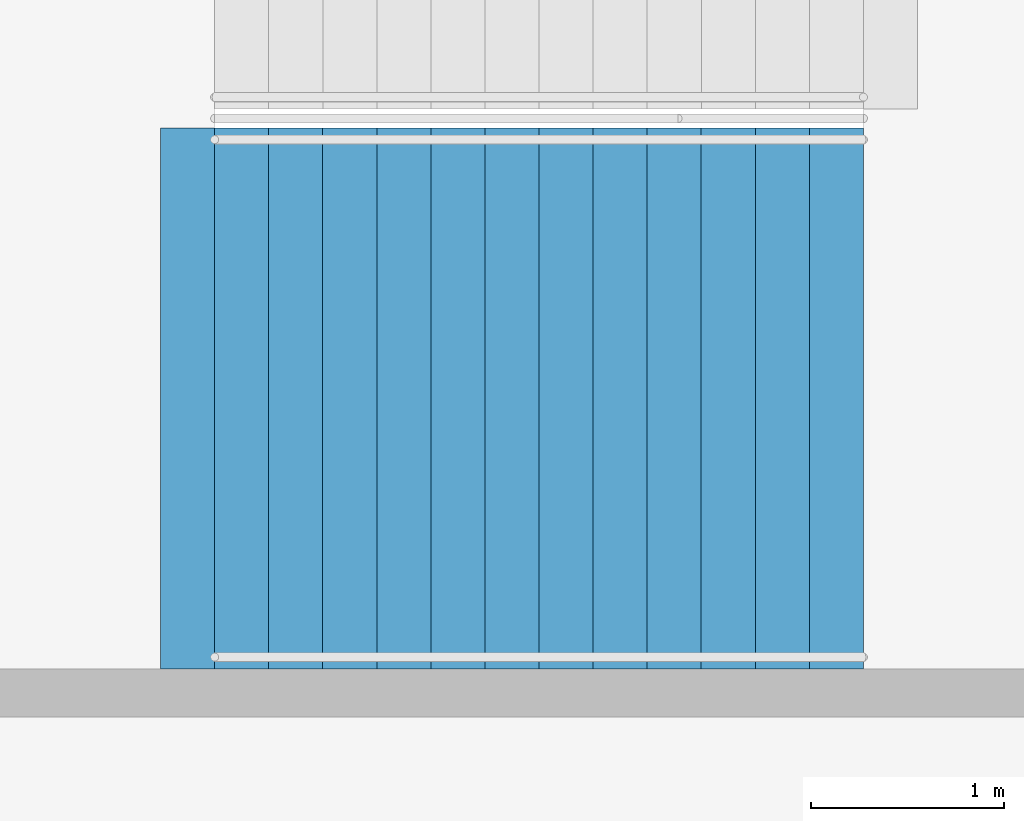
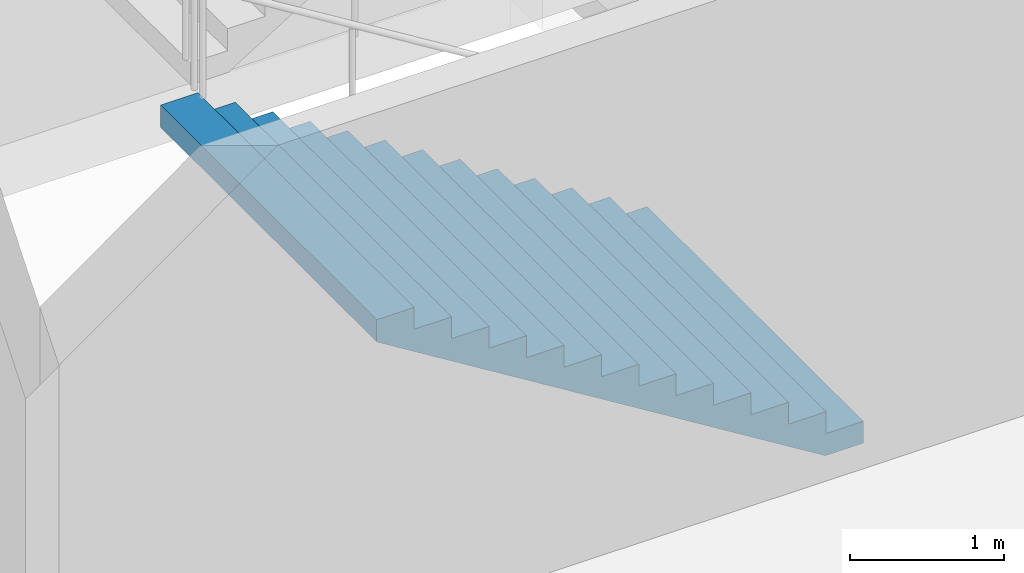
# One storey, part 83 of 175: 1 stair flight, 1 element without a shape of its own.
"""IFC4 building model written with IfcOpenShell, lengths in metres."""

from ifc_helpers import new_model, si_unit, direction, frame, origin, place, context, subcontext, project, spatial, faceted_brep, material, type_object, element, aggregate, save


model = new_model("IFC4")

# Units and contexts
model_context = context("Model", 3, precision=1e-05, world=origin(), true_north=direction((0.0, 1.0)))
body_context = subcontext(model_context, "Body", "Model", "MODEL_VIEW")
ifc_project = project(units=[si_unit("LENGTHUNIT", "METRE"), si_unit("AREAUNIT", "SQUARE_METRE"), si_unit("VOLUMEUNIT", "CUBIC_METRE"), si_unit("PLANEANGLEUNIT", "RADIAN"), si_unit("MASSUNIT", "GRAM", prefix="KILO")], contexts=[model_context])

# Site, building, storey
site_placement = place(None, origin())
site = spatial("IfcSite", under=ifc_project, at=site_placement, CompositionType="ELEMENT")
building_placement = place(site_placement, origin())
building = spatial("IfcBuilding", under=site, at=building_placement, Name="Ogive Plaza Stadium", CompositionType="ELEMENT")
storey_placement = place(building_placement, origin())
storey = spatial("IfcBuildingStorey", under=building, at=storey_placement, Name="L00", CompositionType="ELEMENT", Elevation=0.0)

# Stair, stair flight
ifc_material_1 = material(Name="Concrete C40/50", Category="concrete")
stair_type = type_object("IfcStairType", Name="Exit stair", PredefinedType="STRAIGHT_RUN_STAIR", material=ifc_material_1)
stair_placement = place(storey_placement, origin())
stair = element("IfcStair", 1, at=stair_placement, inside=storey, type_object=stair_type, Name="Exit stair ST26B L00 to L01", PredefinedType="STRAIGHT_RUN_STAIR")
ifc_material_2 = material(Name="Concrete C40/50", Category="concrete")
stair_flight_type = type_object("IfcStairFlightType", Name="Exit stair flight", PredefinedType="STRAIGHT", material=ifc_material_2)
stair_flight_placement = place(storey_placement, frame((-76.35009765625, 18.074951171875, 0.0), z_axis=(0.0, 0.0, 1.0), x_axis=(-1.0, 0.0, 0.0)))
stair_flight = element("IfcStairFlight", 2, at=stair_flight_placement, type_object=stair_flight_type, Name="ST26B flight 1", NumberOfRisers=13, NumberOfTreads=12, PredefinedType="STRAIGHT", RiserHeight=0.173076923, TreadLength=0.28, context=body_context, shape_type="Brep", body=[
    faceted_brep([(0.28515625, -1.39990234375, 0.0), (3.639892578125, -1.39990234375, 2.07373046875), (3.639892578125, -1.39990234375, 2.25), (3.360107421875, -1.39990234375, 2.25), (3.360107421875, -1.39990234375, 2.076904296875), (3.080078125, -1.39990234375, 2.076904296875), (3.080078125, -1.39990234375, 1.90380859375), (2.800048828125, -1.39990234375, 1.90380859375), (2.800048828125, -1.39990234375, 1.730712890625), (2.52001953125, -1.39990234375, 1.730712890625), (2.52001953125, -1.39990234375, 1.5576171875), (2.239990234375, -1.39990234375, 1.5576171875), (2.239990234375, -1.39990234375, 1.384521484375), (1.9599609375, -1.39990234375, 1.384521484375), (1.9599609375, -1.39990234375, 1.21142578125), (1.679931640625, -1.39990234375, 1.21142578125), (1.679931640625, -1.39990234375, 1.03857421875), (1.39990234375, -1.39990234375, 1.03857421875), (1.39990234375, -1.39990234375, 0.865478515625), (1.1201171875, -1.39990234375, 0.865478515625), (1.1201171875, -1.39990234375, 0.6923828125), (0.840087890625, -1.39990234375, 0.6923828125), (0.840087890625, -1.39990234375, 0.519287109375), (0.56005859375, -1.39990234375, 0.519287109375), (0.56005859375, -1.39990234375, 0.34619140625), (0.280029296875, -1.39990234375, 0.34619140625), (0.280029296875, -1.39990234375, 0.173095703125), (0.0, -1.39990234375, 0.173095703125), (0.0, -1.39990234375, 0.0), (0.0, 1.39990234375, 0.0), (0.0, 1.39990234375, 0.173095703125), (0.280029296875, 1.39990234375, 0.173095703125), (0.280029296875, 1.39990234375, 0.34619140625), (0.56005859375, 1.39990234375, 0.34619140625), (0.56005859375, 1.39990234375, 0.519287109375), (0.840087890625, 1.39990234375, 0.519287109375), (0.840087890625, 1.39990234375, 0.6923828125), (1.1201171875, 1.39990234375, 0.6923828125), (1.1201171875, 1.39990234375, 0.865478515625), (1.39990234375, 1.39990234375, 0.865478515625), (1.39990234375, 1.39990234375, 1.03857421875), (1.679931640625, 1.39990234375, 1.03857421875), (1.679931640625, 1.39990234375, 1.21142578125), (1.9599609375, 1.39990234375, 1.21142578125), (1.9599609375, 1.39990234375, 1.384521484375), (2.239990234375, 1.39990234375, 1.384521484375), (2.239990234375, 1.39990234375, 1.5576171875), (2.52001953125, 1.39990234375, 1.5576171875), (2.52001953125, 1.39990234375, 1.730712890625), (2.800048828125, 1.39990234375, 1.730712890625), (2.800048828125, 1.39990234375, 1.90380859375), (3.080078125, 1.39990234375, 1.90380859375), (3.080078125, 1.39990234375, 2.076904296875), (3.360107421875, 1.39990234375, 2.076904296875), (3.360107421875, 1.39990234375, 2.25), (3.639892578125, 1.39990234375, 2.25), (3.639892578125, 1.39990234375, 2.07373046875), (0.28515625, 1.39990234375, 0.0), (0.28515625, -1.0888671875, 0.0), (3.639892578125, -1.0888671875, 2.07373046875), (0.28515625, -0.77783203125, 0.0), (3.639892578125, -0.77783203125, 2.07373046875), (0.28515625, -0.466796875, 0.0), (3.639892578125, -0.466796875, 2.07373046875), (0.28515625, -0.155517578125, 0.0), (3.639892578125, -0.155517578125, 2.07373046875), (0.28515625, 0.155517578125, 0.0), (3.639892578125, 0.155517578125, 2.07373046875), (0.28515625, 0.466796875, 0.0), (3.639892578125, 0.466796875, 2.07373046875), (0.28515625, 0.77783203125, 0.0), (3.639892578125, 0.77783203125, 2.07373046875), (0.28515625, 1.0888671875, 0.0), (3.639892578125, 1.0888671875, 2.07373046875), (3.639892578125, -1.0888671875, 2.25), (3.639892578125, -0.77783203125, 2.25), (3.639892578125, -0.466796875, 2.25), (3.639892578125, -0.155517578125, 2.25), (3.639892578125, 0.155517578125, 2.25), (3.639892578125, 0.466796875, 2.25), (3.639892578125, 0.77783203125, 2.25), (3.639892578125, 1.0888671875, 2.25), (3.360107421875, -1.0888671875, 2.25), (3.360107421875, -0.77783203125, 2.25), (3.360107421875, -0.466796875, 2.25), (3.360107421875, -0.155517578125, 2.25), (3.360107421875, 0.155517578125, 2.25), (3.360107421875, 0.466796875, 2.25), (3.360107421875, 0.77783203125, 2.25), (3.360107421875, 1.0888671875, 2.25), (3.360107421875, -1.0888671875, 2.076904296875), (3.360107421875, -0.77783203125, 2.076904296875), (3.360107421875, -0.466796875, 2.076904296875), (3.360107421875, -0.155517578125, 2.076904296875), (3.360107421875, 0.155517578125, 2.076904296875), (3.360107421875, 0.466796875, 2.076904296875), (3.360107421875, 0.77783203125, 2.076904296875), (3.360107421875, 1.0888671875, 2.076904296875), (3.080078125, -1.0888671875, 2.076904296875), (3.080078125, -0.77783203125, 2.076904296875), (3.080078125, -0.466796875, 2.076904296875), (3.080078125, -0.155517578125, 2.076904296875), (3.080078125, 0.155517578125, 2.076904296875), (3.080078125, 0.466796875, 2.076904296875), (3.080078125, 0.77783203125, 2.076904296875), (3.080078125, 1.0888671875, 2.076904296875), (3.080078125, -1.0888671875, 1.90380859375), (3.080078125, -0.77783203125, 1.90380859375), (3.080078125, -0.466796875, 1.90380859375), (3.080078125, -0.155517578125, 1.90380859375), (3.080078125, 0.155517578125, 1.90380859375), (3.080078125, 0.466796875, 1.90380859375), (3.080078125, 0.77783203125, 1.90380859375), (3.080078125, 1.0888671875, 1.90380859375), (2.800048828125, -1.0888671875, 1.90380859375), (2.800048828125, -0.77783203125, 1.90380859375), (2.800048828125, -0.466796875, 1.90380859375), (2.800048828125, -0.155517578125, 1.90380859375), (2.800048828125, 0.155517578125, 1.90380859375), (2.800048828125, 0.466796875, 1.90380859375), (2.800048828125, 0.77783203125, 1.90380859375), (2.800048828125, 1.0888671875, 1.90380859375), (2.800048828125, -1.0888671875, 1.730712890625), (2.800048828125, -0.77783203125, 1.730712890625), (2.800048828125, -0.466796875, 1.730712890625), (2.800048828125, -0.155517578125, 1.730712890625), (2.800048828125, 0.155517578125, 1.730712890625), (2.800048828125, 0.466796875, 1.730712890625), (2.800048828125, 0.77783203125, 1.730712890625), (2.800048828125, 1.0888671875, 1.730712890625), (2.52001953125, -1.0888671875, 1.730712890625), (2.52001953125, -0.77783203125, 1.730712890625), (2.52001953125, -0.466796875, 1.730712890625), (2.52001953125, -0.155517578125, 1.730712890625), (2.52001953125, 0.155517578125, 1.730712890625), (2.52001953125, 0.466796875, 1.730712890625), (2.52001953125, 0.77783203125, 1.730712890625), (2.52001953125, 1.0888671875, 1.730712890625), (2.52001953125, -1.0888671875, 1.5576171875), (2.52001953125, -0.77783203125, 1.5576171875), (2.52001953125, -0.466796875, 1.5576171875), (2.52001953125, -0.155517578125, 1.5576171875), (2.52001953125, 0.155517578125, 1.5576171875), (2.52001953125, 0.466796875, 1.5576171875), (2.52001953125, 0.77783203125, 1.5576171875), (2.52001953125, 1.0888671875, 1.5576171875), (2.239990234375, -1.0888671875, 1.5576171875), (2.239990234375, -0.77783203125, 1.5576171875), (2.239990234375, -0.466796875, 1.5576171875), (2.239990234375, -0.155517578125, 1.5576171875), (2.239990234375, 0.155517578125, 1.5576171875), (2.239990234375, 0.466796875, 1.5576171875), (2.239990234375, 0.77783203125, 1.5576171875), (2.239990234375, 1.0888671875, 1.5576171875), (2.239990234375, -1.0888671875, 1.384521484375), (2.239990234375, -0.77783203125, 1.384521484375), (2.239990234375, -0.466796875, 1.384521484375), (2.239990234375, -0.155517578125, 1.384521484375), (2.239990234375, 0.155517578125, 1.384521484375), (2.239990234375, 0.466796875, 1.384521484375), (2.239990234375, 0.77783203125, 1.384521484375), (2.239990234375, 1.0888671875, 1.384521484375), (1.9599609375, -1.0888671875, 1.384521484375), (1.9599609375, -0.77783203125, 1.384521484375), (1.9599609375, -0.466796875, 1.384521484375), (1.9599609375, -0.155517578125, 1.384521484375), (1.9599609375, 0.155517578125, 1.384521484375), (1.9599609375, 0.466796875, 1.384521484375), (1.9599609375, 0.77783203125, 1.384521484375), (1.9599609375, 1.0888671875, 1.384521484375), (1.9599609375, -1.0888671875, 1.21142578125), (1.9599609375, -0.77783203125, 1.21142578125), (1.9599609375, -0.466796875, 1.21142578125), (1.9599609375, -0.155517578125, 1.21142578125), (1.9599609375, 0.155517578125, 1.21142578125), (1.9599609375, 0.466796875, 1.21142578125), (1.9599609375, 0.77783203125, 1.21142578125), (1.9599609375, 1.0888671875, 1.21142578125), (1.679931640625, -1.0888671875, 1.21142578125), (1.679931640625, -0.77783203125, 1.21142578125), (1.679931640625, -0.466796875, 1.21142578125), (1.679931640625, -0.155517578125, 1.21142578125), (1.679931640625, 0.155517578125, 1.21142578125), (1.679931640625, 0.466796875, 1.21142578125), (1.679931640625, 0.77783203125, 1.21142578125), (1.679931640625, 1.0888671875, 1.21142578125), (1.679931640625, -1.0888671875, 1.03857421875), (1.679931640625, -0.77783203125, 1.03857421875), (1.679931640625, -0.466796875, 1.03857421875), (1.679931640625, -0.155517578125, 1.03857421875), (1.679931640625, 0.155517578125, 1.03857421875), (1.679931640625, 0.466796875, 1.03857421875), (1.679931640625, 0.77783203125, 1.03857421875), (1.679931640625, 1.0888671875, 1.03857421875), (1.39990234375, -1.0888671875, 1.03857421875), (1.39990234375, -0.77783203125, 1.03857421875), (1.39990234375, -0.466796875, 1.03857421875), (1.39990234375, -0.155517578125, 1.03857421875), (1.39990234375, 0.155517578125, 1.03857421875), (1.39990234375, 0.466796875, 1.03857421875), (1.39990234375, 0.77783203125, 1.03857421875), (1.39990234375, 1.0888671875, 1.03857421875), (1.39990234375, -1.0888671875, 0.865478515625), (1.39990234375, -0.77783203125, 0.865478515625), (1.39990234375, -0.466796875, 0.865478515625), (1.39990234375, -0.155517578125, 0.865478515625), (1.39990234375, 0.155517578125, 0.865478515625), (1.39990234375, 0.466796875, 0.865478515625), (1.39990234375, 0.77783203125, 0.865478515625), (1.39990234375, 1.0888671875, 0.865478515625), (1.1201171875, -1.0888671875, 0.865478515625), (1.1201171875, -0.77783203125, 0.865478515625), (1.1201171875, -0.466796875, 0.865478515625), (1.1201171875, -0.155517578125, 0.865478515625), (1.1201171875, 0.155517578125, 0.865478515625), (1.1201171875, 0.466796875, 0.865478515625), (1.1201171875, 0.77783203125, 0.865478515625), (1.1201171875, 1.0888671875, 0.865478515625), (1.1201171875, -1.0888671875, 0.6923828125), (1.1201171875, -0.77783203125, 0.6923828125), (1.1201171875, -0.466796875, 0.6923828125), (1.1201171875, -0.155517578125, 0.6923828125), (1.1201171875, 0.155517578125, 0.6923828125), (1.1201171875, 0.466796875, 0.6923828125), (1.1201171875, 0.77783203125, 0.6923828125), (1.1201171875, 1.0888671875, 0.6923828125), (0.840087890625, -1.0888671875, 0.6923828125), (0.840087890625, -0.77783203125, 0.6923828125), (0.840087890625, -0.466796875, 0.6923828125), (0.840087890625, -0.155517578125, 0.6923828125), (0.840087890625, 0.155517578125, 0.6923828125), (0.840087890625, 0.466796875, 0.6923828125), (0.840087890625, 0.77783203125, 0.6923828125), (0.840087890625, 1.0888671875, 0.6923828125), (0.840087890625, -1.0888671875, 0.519287109375), (0.840087890625, -0.77783203125, 0.519287109375), (0.840087890625, -0.466796875, 0.519287109375), (0.840087890625, -0.155517578125, 0.519287109375), (0.840087890625, 0.155517578125, 0.519287109375), (0.840087890625, 0.466796875, 0.519287109375), (0.840087890625, 0.77783203125, 0.519287109375), (0.840087890625, 1.0888671875, 0.519287109375), (0.56005859375, -1.0888671875, 0.519287109375), (0.56005859375, -0.77783203125, 0.519287109375), (0.56005859375, -0.466796875, 0.519287109375), (0.56005859375, -0.155517578125, 0.519287109375), (0.56005859375, 0.155517578125, 0.519287109375), (0.56005859375, 0.466796875, 0.519287109375), (0.56005859375, 0.77783203125, 0.519287109375), (0.56005859375, 1.0888671875, 0.519287109375), (0.56005859375, -1.0888671875, 0.34619140625), (0.56005859375, -0.77783203125, 0.34619140625), (0.56005859375, -0.466796875, 0.34619140625), (0.56005859375, -0.155517578125, 0.34619140625), (0.56005859375, 0.155517578125, 0.34619140625), (0.56005859375, 0.466796875, 0.34619140625), (0.56005859375, 0.77783203125, 0.34619140625), (0.56005859375, 1.0888671875, 0.34619140625), (0.280029296875, -1.0888671875, 0.34619140625), (0.280029296875, -0.77783203125, 0.34619140625), (0.280029296875, -0.466796875, 0.34619140625), (0.280029296875, -0.155517578125, 0.34619140625), (0.280029296875, 0.155517578125, 0.34619140625), (0.280029296875, 0.466796875, 0.34619140625), (0.280029296875, 0.77783203125, 0.34619140625), (0.280029296875, 1.0888671875, 0.34619140625), (0.280029296875, -1.0888671875, 0.173095703125), (0.280029296875, -0.77783203125, 0.173095703125), (0.280029296875, -0.466796875, 0.173095703125), (0.280029296875, -0.155517578125, 0.173095703125), (0.280029296875, 0.155517578125, 0.173095703125), (0.280029296875, 0.466796875, 0.173095703125), (0.280029296875, 0.77783203125, 0.173095703125), (0.280029296875, 1.0888671875, 0.173095703125), (0.0, -1.0888671875, 0.173095703125), (0.0, -0.77783203125, 0.173095703125), (0.0, -0.466796875, 0.173095703125), (0.0, -0.155517578125, 0.173095703125), (0.0, 0.155517578125, 0.173095703125), (0.0, 0.466796875, 0.173095703125), (0.0, 0.77783203125, 0.173095703125), (0.0, 1.0888671875, 0.173095703125), (0.0, -1.0888671875, 0.0), (0.0, -0.77783203125, 0.0), (0.0, -0.466796875, 0.0), (0.0, -0.155517578125, 0.0), (0.0, 0.155517578125, 0.0), (0.0, 0.466796875, 0.0), (0.0, 0.77783203125, 0.0), (0.0, 1.0888671875, 0.0)], [[[0, 1, 2, 3, 4, 5, 6, 7, 8, 9, 10, 11, 12, 13, 14, 15, 16, 17, 18, 19, 20, 21, 22, 23, 24, 25, 26, 27, 28]], [[29, 30, 31, 32, 33, 34, 35, 36, 37, 38, 39, 40, 41, 42, 43, 44, 45, 46, 47, 48, 49, 50, 51, 52, 53, 54, 55, 56, 57]], [[0, 58, 59, 1]], [[58, 60, 61, 59]], [[60, 62, 63, 61]], [[62, 64, 65, 63]], [[64, 66, 67, 65]], [[66, 68, 69, 67]], [[68, 70, 71, 69]], [[70, 72, 73, 71]], [[72, 57, 56, 73]], [[1, 59, 74, 2]], [[59, 61, 75, 74]], [[61, 63, 76, 75]], [[63, 65, 77, 76]], [[65, 67, 78, 77]], [[67, 69, 79, 78]], [[69, 71, 80, 79]], [[71, 73, 81, 80]], [[73, 56, 55, 81]], [[2, 74, 82, 3]], [[74, 75, 83, 82]], [[75, 76, 84, 83]], [[76, 77, 85, 84]], [[77, 78, 86, 85]], [[78, 79, 87, 86]], [[79, 80, 88, 87]], [[80, 81, 89, 88]], [[81, 55, 54, 89]], [[3, 82, 90, 4]], [[82, 83, 91, 90]], [[83, 84, 92, 91]], [[84, 85, 93, 92]], [[85, 86, 94, 93]], [[86, 87, 95, 94]], [[87, 88, 96, 95]], [[88, 89, 97, 96]], [[89, 54, 53, 97]], [[4, 90, 98, 5]], [[90, 91, 99, 98]], [[91, 92, 100, 99]], [[92, 93, 101, 100]], [[93, 94, 102, 101]], [[94, 95, 103, 102]], [[95, 96, 104, 103]], [[96, 97, 105, 104]], [[97, 53, 52, 105]], [[5, 98, 106, 6]], [[98, 99, 107, 106]], [[99, 100, 108, 107]], [[100, 101, 109, 108]], [[101, 102, 110, 109]], [[102, 103, 111, 110]], [[103, 104, 112, 111]], [[104, 105, 113, 112]], [[105, 52, 51, 113]], [[6, 106, 114, 7]], [[106, 107, 115, 114]], [[107, 108, 116, 115]], [[108, 109, 117, 116]], [[109, 110, 118, 117]], [[110, 111, 119, 118]], [[111, 112, 120, 119]], [[112, 113, 121, 120]], [[113, 51, 50, 121]], [[7, 114, 122, 8]], [[114, 115, 123, 122]], [[115, 116, 124, 123]], [[116, 117, 125, 124]], [[117, 118, 126, 125]], [[118, 119, 127, 126]], [[119, 120, 128, 127]], [[120, 121, 129, 128]], [[121, 50, 49, 129]], [[8, 122, 130, 9]], [[122, 123, 131, 130]], [[123, 124, 132, 131]], [[124, 125, 133, 132]], [[125, 126, 134, 133]], [[126, 127, 135, 134]], [[127, 128, 136, 135]], [[128, 129, 137, 136]], [[129, 49, 48, 137]], [[9, 130, 138, 10]], [[130, 131, 139, 138]], [[131, 132, 140, 139]], [[132, 133, 141, 140]], [[133, 134, 142, 141]], [[134, 135, 143, 142]], [[135, 136, 144, 143]], [[136, 137, 145, 144]], [[137, 48, 47, 145]], [[10, 138, 146, 11]], [[138, 139, 147, 146]], [[139, 140, 148, 147]], [[140, 141, 149, 148]], [[141, 142, 150, 149]], [[142, 143, 151, 150]], [[143, 144, 152, 151]], [[144, 145, 153, 152]], [[145, 47, 46, 153]], [[11, 146, 154, 12]], [[146, 147, 155, 154]], [[147, 148, 156, 155]], [[148, 149, 157, 156]], [[149, 150, 158, 157]], [[150, 151, 159, 158]], [[151, 152, 160, 159]], [[152, 153, 161, 160]], [[153, 46, 45, 161]], [[12, 154, 162, 13]], [[154, 155, 163, 162]], [[155, 156, 164, 163]], [[156, 157, 165, 164]], [[157, 158, 166, 165]], [[158, 159, 167, 166]], [[159, 160, 168, 167]], [[160, 161, 169, 168]], [[161, 45, 44, 169]], [[13, 162, 170, 14]], [[162, 163, 171, 170]], [[163, 164, 172, 171]], [[164, 165, 173, 172]], [[165, 166, 174, 173]], [[166, 167, 175, 174]], [[167, 168, 176, 175]], [[168, 169, 177, 176]], [[169, 44, 43, 177]], [[14, 170, 178, 15]], [[170, 171, 179, 178]], [[171, 172, 180, 179]], [[172, 173, 181, 180]], [[173, 174, 182, 181]], [[174, 175, 183, 182]], [[175, 176, 184, 183]], [[176, 177, 185, 184]], [[177, 43, 42, 185]], [[15, 178, 186, 16]], [[178, 179, 187, 186]], [[179, 180, 188, 187]], [[180, 181, 189, 188]], [[181, 182, 190, 189]], [[182, 183, 191, 190]], [[183, 184, 192, 191]], [[184, 185, 193, 192]], [[185, 42, 41, 193]], [[16, 186, 194, 17]], [[186, 187, 195, 194]], [[187, 188, 196, 195]], [[188, 189, 197, 196]], [[189, 190, 198, 197]], [[190, 191, 199, 198]], [[191, 192, 200, 199]], [[192, 193, 201, 200]], [[193, 41, 40, 201]], [[17, 194, 202, 18]], [[194, 195, 203, 202]], [[195, 196, 204, 203]], [[196, 197, 205, 204]], [[197, 198, 206, 205]], [[198, 199, 207, 206]], [[199, 200, 208, 207]], [[200, 201, 209, 208]], [[201, 40, 39, 209]], [[18, 202, 210, 19]], [[202, 203, 211, 210]], [[203, 204, 212, 211]], [[204, 205, 213, 212]], [[205, 206, 214, 213]], [[206, 207, 215, 214]], [[207, 208, 216, 215]], [[208, 209, 217, 216]], [[209, 39, 38, 217]], [[19, 210, 218, 20]], [[210, 211, 219, 218]], [[211, 212, 220, 219]], [[212, 213, 221, 220]], [[213, 214, 222, 221]], [[214, 215, 223, 222]], [[215, 216, 224, 223]], [[216, 217, 225, 224]], [[217, 38, 37, 225]], [[20, 218, 226, 21]], [[218, 219, 227, 226]], [[219, 220, 228, 227]], [[220, 221, 229, 228]], [[221, 222, 230, 229]], [[222, 223, 231, 230]], [[223, 224, 232, 231]], [[224, 225, 233, 232]], [[225, 37, 36, 233]], [[21, 226, 234, 22]], [[226, 227, 235, 234]], [[227, 228, 236, 235]], [[228, 229, 237, 236]], [[229, 230, 238, 237]], [[230, 231, 239, 238]], [[231, 232, 240, 239]], [[232, 233, 241, 240]], [[233, 36, 35, 241]], [[22, 234, 242, 23]], [[234, 235, 243, 242]], [[235, 236, 244, 243]], [[236, 237, 245, 244]], [[237, 238, 246, 245]], [[238, 239, 247, 246]], [[239, 240, 248, 247]], [[240, 241, 249, 248]], [[241, 35, 34, 249]], [[23, 242, 250, 24]], [[242, 243, 251, 250]], [[243, 244, 252, 251]], [[244, 245, 253, 252]], [[245, 246, 254, 253]], [[246, 247, 255, 254]], [[247, 248, 256, 255]], [[248, 249, 257, 256]], [[249, 34, 33, 257]], [[24, 250, 258, 25]], [[250, 251, 259, 258]], [[251, 252, 260, 259]], [[252, 253, 261, 260]], [[253, 254, 262, 261]], [[254, 255, 263, 262]], [[255, 256, 264, 263]], [[256, 257, 265, 264]], [[257, 33, 32, 265]], [[25, 258, 266, 26]], [[258, 259, 267, 266]], [[259, 260, 268, 267]], [[260, 261, 269, 268]], [[261, 262, 270, 269]], [[262, 263, 271, 270]], [[263, 264, 272, 271]], [[264, 265, 273, 272]], [[265, 32, 31, 273]], [[26, 266, 274, 27]], [[266, 267, 275, 274]], [[267, 268, 276, 275]], [[268, 269, 277, 276]], [[269, 270, 278, 277]], [[270, 271, 279, 278]], [[271, 272, 280, 279]], [[272, 273, 281, 280]], [[273, 31, 30, 281]], [[27, 274, 282, 28]], [[274, 275, 283, 282]], [[275, 276, 284, 283]], [[276, 277, 285, 284]], [[277, 278, 286, 285]], [[278, 279, 287, 286]], [[279, 280, 288, 287]], [[280, 281, 289, 288]], [[281, 30, 29, 289]], [[28, 282, 58, 0]], [[282, 283, 60, 58]], [[283, 284, 62, 60]], [[284, 285, 64, 62]], [[285, 286, 66, 64]], [[286, 287, 68, 66]], [[287, 288, 70, 68]], [[288, 289, 72, 70]], [[289, 29, 57, 72]]]),
])
aggregate(stair, [stair_flight])

save(model, "model.ifc")
